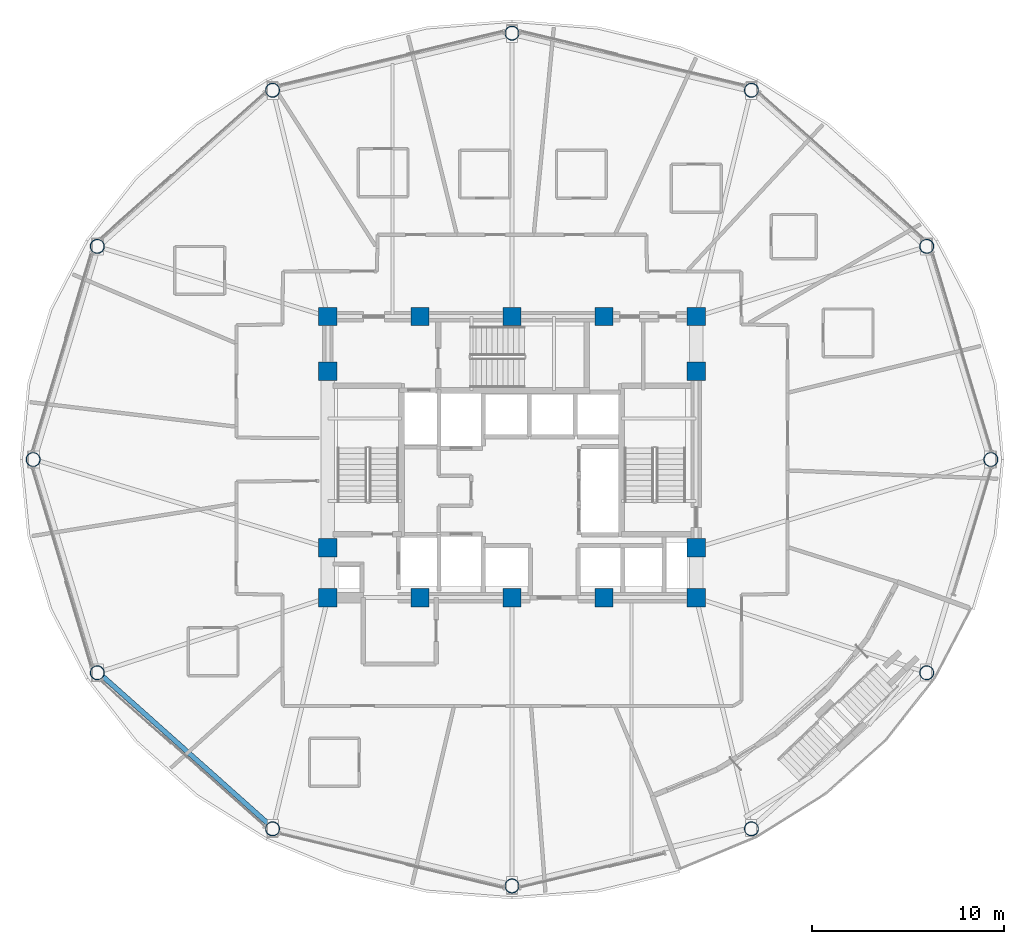
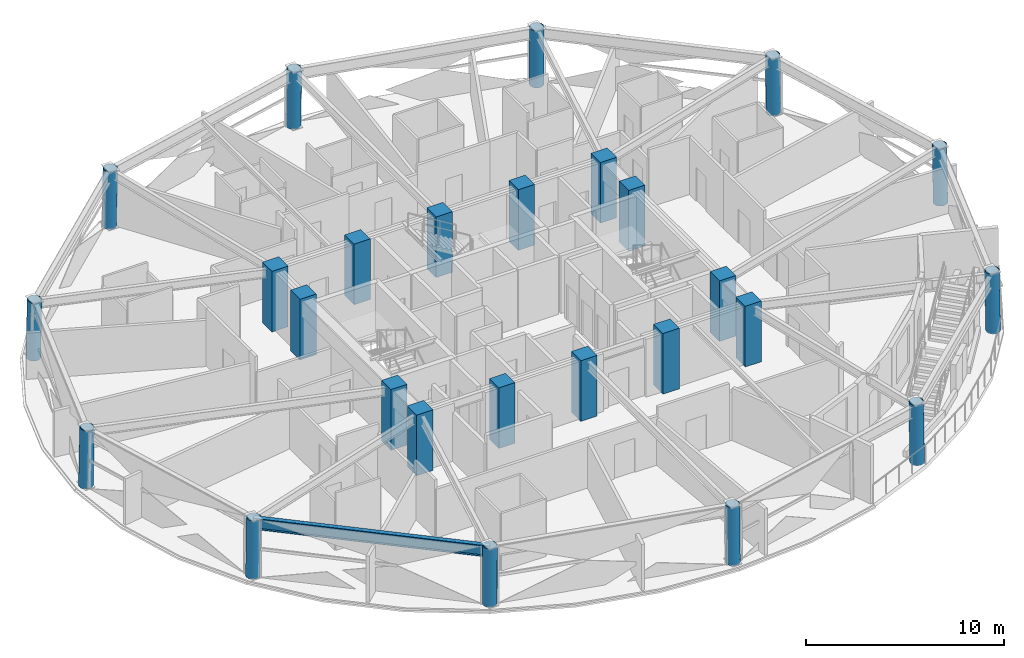
# One storey, part 1 of 18: 26 columns, 1 beam.
"""IFC4 building model written with IfcOpenShell, lengths in metres."""

from ifc_helpers import new_model, si_unit, direction, frame, origin, origin_2d, place, context, subcontext, project, spatial, rectangle, hollow_circle, i_section, extrude, material, material_profile, profile_set, type_object, element, save


model = new_model("IFC4")

# Units and contexts
model_context = context("Model", 3, precision=1e-05, world=origin(), true_north=direction((0.0, 1.0)))
body_context = subcontext(model_context, "Body", "Model", "MODEL_VIEW")
ifc_project = project(units=[si_unit("LENGTHUNIT", "METRE"), si_unit("AREAUNIT", "SQUARE_METRE"), si_unit("VOLUMEUNIT", "CUBIC_METRE"), si_unit("PLANEANGLEUNIT", "RADIAN"), si_unit("MASSUNIT", "GRAM", prefix="KILO")], contexts=[model_context])

# Site, building, storey
site_placement = place(None, origin())
site = spatial("IfcSite", under=ifc_project, at=site_placement, CompositionType="ELEMENT")
building_placement = place(site_placement, origin())
building = spatial("IfcBuilding", under=site, at=building_placement, Name="Vantalir Tower", CompositionType="ELEMENT")
storey_placement = place(building_placement, frame((0.0, 0.0, 138.449951171875)))
storey = spatial("IfcBuildingStorey", under=building, at=storey_placement, Name="L34", CompositionType="ELEMENT", Elevation=138.449951171875)

# Columns
ifc_material_1 = material(Name="Concrete C60/75", Category="concrete")
ifc_material_profile_1 = material_profile(ifc_material_1, rectangle(XDim=0.949951171875, YDim=0.949951171875, at=origin_2d()), Name="Concrete C60/75")
ifc_profile_set_1 = profile_set([ifc_material_profile_1], Name="Concrete C60/75")
column_type_1 = type_object("IfcColumnType", Name="COL-CC-950", PredefinedType="COLUMN", material=ifc_profile_set_1)
for number, where, z_axis, x_axis, name in (
    (1, (21.89990234375, 17.800048828125, 0.0), (0.0, 0.0, 1.0), (1.0, 0.0, 0.0), "L34 Core Column CC01"),
    (2, (26.699951171875, 17.800048828125, 0.0), (0.0, 0.0, 1.0), (1.0, 0.0, 0.0), "L34 Core Column CC02"),
    (3, (31.5, 17.800048828125, 0.0), (0.0, 0.0, 1.0), (1.0, 0.0, 0.0), "L34 Core Column CC03"),
    (4, (36.300048828125, 17.800048828125, 0.0), (0.0, 0.0, 1.0), (1.0, 0.0, 0.0), "L34 Core Column CC04"),
    (5, (41.10009765625, 17.800048828125, 0.0), (0.0, 0.0, 1.0), (1.0, 0.0, 0.0), "L34 Core Column CC05"),
    (6, (21.89990234375, 20.39990234375, 0.0), (0.0, 0.0, 1.0), (1.0, 0.0, 0.0), "L34 Core Column CC06"),
    (7, (21.89990234375, 29.60009765625, 0.0), (0.0, 0.0, 1.0), (1.0, 0.0, 0.0), "L34 Core Column CC07"),
    (8, (41.10009765625, 20.39990234375, 0.0), (0.0, 0.0, 1.0), (1.0, 0.0, 0.0), "L34 Core Column CC08"),
    (9, (41.10009765625, 29.60009765625, 0.0), (0.0, 0.0, 1.0), (1.0, 0.0, 0.0), "L34 Core Column CC09"),
    (10, (21.89990234375, 32.449951171875, 0.0), (0.0, 0.0, 1.0), (1.0, 0.0, 0.0), "L34 Core Column CC10"),
    (11, (26.699951171875, 32.449951171875, 0.0), (0.0, 0.0, 1.0), (1.0, 0.0, 0.0), "L34 Core Column CC11"),
    (12, (31.5, 32.449951171875, 0.0), (0.0, 0.0, 1.0), (1.0, 0.0, 0.0), "L34 Core Column CC12"),
    (13, (36.300048828125, 32.449951171875, 0.0), (0.0, 0.0, 1.0), (1.0, 0.0, 0.0), "L34 Core Column CC13"),
    (14, (41.10009765625, 32.449951171875, 0.0), (0.0, 0.0, 1.0), (1.0, 0.0, 0.0), "L34 Core Column CC14"),
):
    element("IfcColumn", number, at=place(storey_placement, frame(where, z_axis=z_axis, x_axis=x_axis)), inside=storey, type_object=column_type_1, Name=name, PredefinedType="COLUMN", context=body_context, shape_type="SweptSolid", body=[
        extrude(rectangle(XDim=0.949951171875, YDim=0.949951171875, at=origin_2d()), origin(), (0.0, 0.0, 1.0), 3.75),
    ])
ifc_material_2 = material(Name="Steel S460", Category="steel")
ifc_material_profile_2 = material_profile(ifc_material_2, hollow_circle(Radius=0.375, WallThickness=0.034912109375, at=origin_2d()), Name="Steel S460")
ifc_profile_set_2 = profile_set([ifc_material_profile_2], Name="Steel S460")
column_type_2 = type_object("IfcColumnType", Name="COL-RC-750", PredefinedType="COLUMN", material=ifc_profile_set_2)
for number, where, z_axis, x_axis, name in (
    (15, (56.468994140625, 25.0, 0.0), (-0.017367276966, 0.0, 0.999849177472), (0.0, -1.0, 0.0), "L34 Perimeter Ring Column RC01"),
    (16, (53.1240234375, 36.116943359375, 0.0), (-0.015111024744, -0.007521324533, 0.999857533156), (0.445592525197, -0.895235891533, 0.0), "L34 Perimeter Ring Column RC02"),
    (17, (43.985107421875, 44.256103515625, 0.0), (-0.00868383291, -0.013470197507, 0.999871564165), (0.840484683752, -0.541835303739, 0.0), "L34 Perimeter Ring Column RC03"),
    (18, (31.5, 47.235107421875, 0.0), (0.0, -0.015453259497, 0.999880591256), (1.0, 0.0, 0.0), "L34 Perimeter Ring Column RC04"),
    (19, (19.01611328125, 44.256103515625, 0.0), (0.00868383291, -0.013470197507, 0.999871564165), (0.840484683752, 0.541835303739, 0.0), "L34 Perimeter Ring Column RC05"),
    (20, (9.8759765625, 36.116943359375, 0.0), (0.015111024744, -0.007521324533, 0.999857533156), (0.445592525197, 0.895235891533, 0.0), "L34 Perimeter Ring Column RC06"),
    (21, (6.531005859375, 25.0, 0.0), (0.017367276966, 0.0, 0.999849177472), (0.0, 1.0, 0.0), "L34 Perimeter Ring Column RC07"),
    (22, (9.8759765625, 13.882080078125, 0.0), (0.015110993094, 0.007794810917, 0.999855438956), (-0.458438038271, 0.888726372438, 0.0), "L34 Perimeter Ring Column RC08"),
    (23, (19.014892578125, 5.743896484375, 0.0), (0.00868383291, 0.013470197507, 0.999871564165), (-0.840484683752, 0.541835303739, 0.0), "L34 Perimeter Ring Column RC09"),
    (24, (31.5, 2.764892578125, 0.0), (0.0, 0.015453259497, 0.999880591256), (-1.0, 0.0, 0.0), "L34 Perimeter Ring Column RC10"),
):
    element("IfcColumn", number, at=place(storey_placement, frame(where, z_axis=z_axis, x_axis=x_axis)), inside=storey, type_object=column_type_2, Name=name, PredefinedType="COLUMN", context=body_context, shape_type="SweptSolid", body=[
        extrude(hollow_circle(Radius=0.375, WallThickness=0.034912109375, at=origin_2d()), origin(), (0.0, 0.0, 1.0), 3.570556640625),
    ])
for number, where, z_axis, x_axis, name in (
    (25, (43.985107421875, 5.743896484375, 0.0), (-0.008324702372, 0.012913121002, 0.999881968352), (-0.840484683752, -0.541835303739, 0.0), "L34 Perimeter Ring Column RC11"),
    (26, (53.1240234375, 13.882080078125, 0.0), (-0.014486078403, 0.007472456733, 0.999867149137), (-0.458438038271, -0.888726372438, 0.0), "L34 Perimeter Ring Column RC12"),
):
    element("IfcColumn", number, at=place(storey_placement, frame(where, z_axis=z_axis, x_axis=x_axis)), inside=storey, type_object=column_type_2, Name=name, PredefinedType="COLUMN", context=body_context, shape_type="SweptSolid", body=[
        extrude(hollow_circle(Radius=0.375, WallThickness=0.034912109375, at=origin_2d()), origin(), (0.0, 0.0, 1.0), 3.724609375),
    ])

# Beam
ifc_material_profile_3 = material_profile(ifc_material_2, i_section(OverallWidth=0.256103515625, OverallDepth=0.693115234375, WebThickness=0.014404296875, FlangeThickness=0.023681640625, at=origin_2d()), Name="Steel S460")
ifc_profile_set_3 = profile_set([ifc_material_profile_3], Name="Steel S460")
beam_type = type_object("IfcBeamType", Name="BM-RG-686x254", PredefinedType="USERDEFINED", material=ifc_profile_set_3)
beam_placement = place(storey_placement, frame((9.929931640625, 13.909912109375, 3.22412109375), z_axis=(0.746805403466, -0.665042622209, 0.0), x_axis=(0.665042622209, 0.746805403466, 0.0)))
element("IfcBeam", 27, at=beam_placement, inside=storey, type_object=beam_type, Name="L34 Circumferential Ring Girder 08", ObjectType="GIRDER", PredefinedType="USERDEFINED", context=body_context, shape_type="SweptSolid", body=[
    extrude(i_section(OverallWidth=0.256103515625, OverallDepth=0.693115234375, WebThickness=0.014404296875, FlangeThickness=0.023681640625, at=origin_2d()), origin(), (0.0, 0.0, 1.0), 12.20654296875),
])

save(model, "model.ifc")
